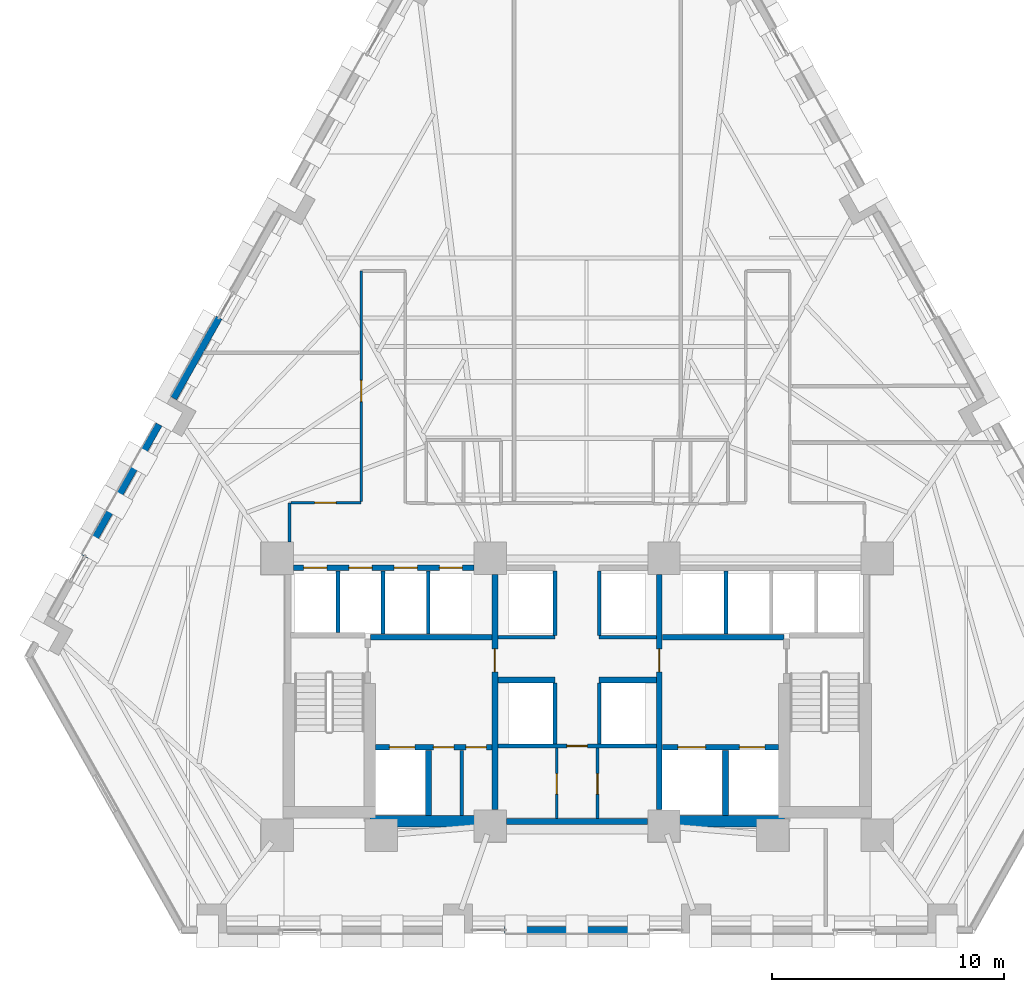
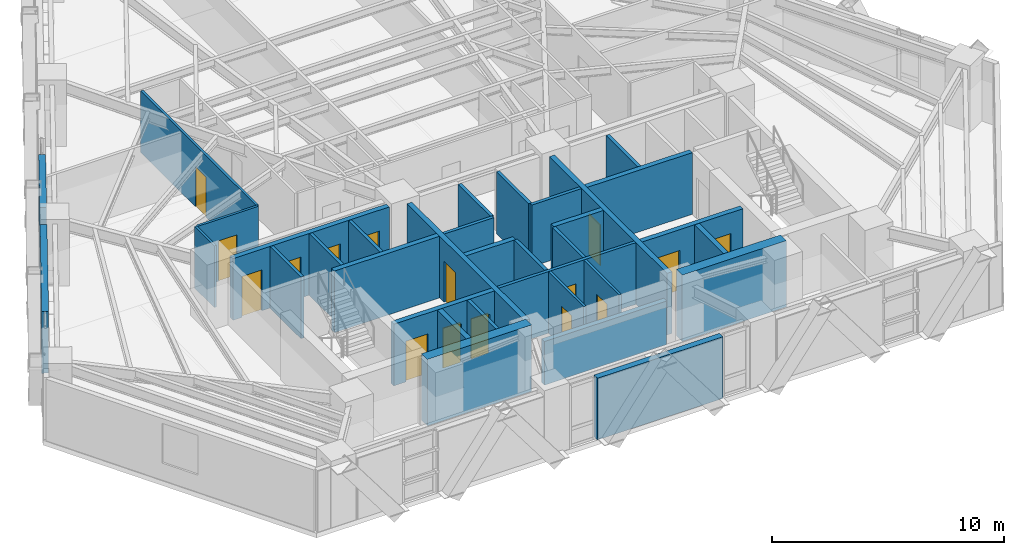
# One storey, part 7 of 13: 34 walls, 16 doors, 16 openings.
"""IFC4 building model written with IfcOpenShell, lengths in metres."""

from ifc_helpers import new_model, si_unit, direction, frame, frame_2d, origin, place, context, subcontext, project, spatial, rectangle, extrude, material, layer, layer_set, type_object, element, fill, save


model = new_model("IFC4")

# Units and contexts
model_context = context("Model", 3, precision=1e-05, world=origin(), true_north=direction((0.0, 1.0)))
body_context = subcontext(model_context, "Body", "Model", "MODEL_VIEW")
ifc_project = project(units=[si_unit("LENGTHUNIT", "METRE"), si_unit("AREAUNIT", "SQUARE_METRE"), si_unit("VOLUMEUNIT", "CUBIC_METRE"), si_unit("PLANEANGLEUNIT", "RADIAN"), si_unit("MASSUNIT", "GRAM", prefix="KILO")], contexts=[model_context])

# Site, building, storey
site_placement = place(None, origin())
site = spatial("IfcSite", under=ifc_project, at=site_placement, CompositionType="ELEMENT")
building_placement = place(site_placement, origin())
building = spatial("IfcBuilding", under=site, at=building_placement, Name="Quenlor Broadcast Tower", CompositionType="ELEMENT")
storey_placement = place(building_placement, frame((0.0, 0.0, 66.10009765625)))
storey = spatial("IfcBuildingStorey", under=building, at=storey_placement, Name="L17", CompositionType="ELEMENT", Elevation=66.10009765625)

# Walls
ifc_material_1 = material(Name="Concrete C65/80", Category="concrete")
ifc_layer_1 = layer(ifc_material_1, 0.5)
ifc_layer_set_1 = layer_set([ifc_layer_1], Name="Core Concrete C65/80 Shear Wall 500")
wall_type_1 = type_object("IfcWallType", Name="Core Concrete C65/80 Shear Wall 500", PredefinedType="SHEAR", material=ifc_layer_set_1)
for number, where, z_axis, x_axis, name in (
    (1, (-8.949951171875, -16.14990234375, 0.0), (0.0, 0.0, 1.0), (1.0, 0.0, 0.0), "L17 Core Shear Wall WS-W2"),
    (2, (3.75, -16.14990234375, 0.0), (0.0, 0.0, 1.0), (1.0, 0.0, 0.0), "L17 Core Shear Wall WS-E1"),
):
    element("IfcWall", number, at=place(storey_placement, frame(where, z_axis=z_axis, x_axis=x_axis)), inside=storey, type_object=wall_type_1, Name=name, PredefinedType="SHEAR", context=body_context, shape_type="SweptSolid", body=[
        extrude(rectangle(XDim=5.199951171875, YDim=0.5, at=frame_2d((2.60009765625, 0.0))), origin(), (0.0, 0.0, 1.0), 3.5),
    ])

# Wall, openings, doors
ifc_material_2 = material(Name="Concrete C40/50", Category="concrete")
ifc_layer_2 = layer(ifc_material_2, 0.25)
ifc_layer_set_2 = layer_set([ifc_layer_2], Name="Fire Rated Concrete C40/50 Core Wall 250")
wall_type_2 = type_object("IfcWallType", Name="Fire Rated Concrete C40/50 Core Wall 250", PredefinedType="PARTITIONING", material=ifc_layer_set_2)
wall_1_placement = place(storey_placement, frame((-8.697998046875, -12.949951171875, 0.0), z_axis=(0.0, 0.0, 1.0), x_axis=(1.0, 0.0, 0.0)))
wall_1 = element("IfcWall", 3, at=wall_1_placement, inside=storey, type_object=wall_type_2, Name="L17 Interior Wall CW-FFW-S", PredefinedType="PARTITIONING", context=body_context, shape_type="SweptSolid", body=[
    extrude(rectangle(XDim=5.01806640625, YDim=0.25, at=frame_2d((2.509033203125, 0.0))), origin(), (0.0, 0.0, 1.0), 3.25),
])
opening_1_placement = place(wall_1_placement, frame((0.597900390625, 0.0, 0.0)))
opening_1 = element("IfcOpeningElement", 4, at=opening_1_placement, cuts=wall_1, Name="Opening LD-FFL-1", PredefinedType="OPENING", context=body_context, shape_type="SweptSolid", body=[
    extrude(rectangle(XDim=1.10009765625, YDim=2.14990234375, at=frame_2d((0.550048828125, 1.074951171875))), frame((0.0, 0.135009765625, 0.0), z_axis=(0.0, -1.0, 0.0), x_axis=(1.0, 0.0, 0.0)), (0.0, 0.0, 1.0), 0.27001953125),
])
opening_2_placement = place(wall_1_placement, frame((2.498046875, 0.0, 0.0)))
opening_2 = element("IfcOpeningElement", 5, at=opening_2_placement, cuts=wall_1, Name="Opening TD-1", PredefinedType="OPENING", context=body_context, shape_type="SweptSolid", body=[
    extrude(rectangle(XDim=0.8798828125, YDim=2.10009765625, at=frame_2d((0.43994140625, 1.050048828125))), frame((0.0, 0.135009765625, 0.0), z_axis=(0.0, -1.0, 0.0), x_axis=(1.0, 0.0, 0.0)), (0.0, 0.0, 1.0), 0.27001953125),
])
opening_3_placement = place(wall_1_placement, frame((3.89794921875, 0.0, 0.0)))
opening_3 = element("IfcOpeningElement", 6, at=opening_3_placement, cuts=wall_1, Name="Opening TD-1", PredefinedType="OPENING", context=body_context, shape_type="SweptSolid", body=[
    extrude(rectangle(XDim=0.8798828125, YDim=2.10009765625, at=frame_2d((0.43994140625, 1.050048828125))), frame((0.0, 0.135009765625, 0.0), z_axis=(0.0, -1.0, 0.0), x_axis=(1.0, 0.0, 0.0)), (0.0, 0.0, 1.0), 0.27001953125),
])
ifc_material_3 = material(Name="Brushed Stainless Steel", Category="steel")
door_type_1 = type_object("IfcDoorType", Name="Emergency Lift Sliding Landing Door 1100x2150", OperationType="NOTDEFINED", PredefinedType="DOOR", material=ifc_material_3)
door_1_placement = place(opening_1_placement, origin())
door_1 = element("IfcDoor", 7, at=door_1_placement, inside=storey, type_object=door_type_1, Name="L17 Door LD-FFL-1", OperationType="SLIDING_TO_LEFT", OverallHeight=2.14990234375, OverallWidth=1.10009765625, PredefinedType="DOOR", context=body_context, shape_type="SweptSolid", body=[
    extrude(rectangle(XDim=1.10009765625, YDim=2.14990234375, at=frame_2d((0.550048828125, 1.074951171875))), frame((0.0, 0.02490234375, 0.0), z_axis=(0.0, -1.0, 0.0), x_axis=(1.0, 0.0, 0.0)), (0.0, 0.0, 1.0), 0.050048828125),
])
fill(opening_1, door_1)
ifc_material_4 = material(Name="Fire Rated Steel Access Panel", Category="steel")
door_type_2 = type_object("IfcDoorType", Name="Riser Shaft Rated Access Trapdoor 880x2100", OperationType="NOTDEFINED", PredefinedType="TRAPDOOR", material=ifc_material_4)
door_2_placement = place(opening_2_placement, origin())
door_2 = element("IfcDoor", 8, at=door_2_placement, inside=storey, type_object=door_type_2, Name="L17 Door DR-ELR", OperationType="SINGLE_SWING_LEFT", OverallHeight=2.10009765625, OverallWidth=0.8798828125, PredefinedType="TRAPDOOR", context=body_context, shape_type="SweptSolid", body=[
    extrude(rectangle(XDim=0.8798828125, YDim=2.10009765625, at=frame_2d((0.43994140625, 1.050048828125))), frame((0.0, 0.02490234375, 0.0), z_axis=(0.0, -1.0, 0.0), x_axis=(1.0, 0.0, 0.0)), (0.0, 0.0, 1.0), 0.050048828125),
])
fill(opening_2, door_2)
door_3_placement = place(opening_3_placement, origin())
door_3 = element("IfcDoor", 9, at=door_3_placement, inside=storey, type_object=door_type_2, Name="L17 Door DR-CMR", OperationType="SINGLE_SWING_RIGHT", OverallHeight=2.10009765625, OverallWidth=0.8798828125, PredefinedType="TRAPDOOR", context=body_context, shape_type="SweptSolid", body=[
    extrude(rectangle(XDim=0.8798828125, YDim=2.10009765625, at=frame_2d((0.43994140625, 1.050048828125))), frame((0.0, 0.02490234375, 0.0), z_axis=(0.0, -1.0, 0.0), x_axis=(1.0, 0.0, 0.0)), (0.0, 0.0, 1.0), 0.050048828125),
])
fill(opening_3, door_3)

wall_2_placement = place(storey_placement, frame((3.679931640625, -12.949951171875, 0.0), z_axis=(0.0, 0.0, 1.0), x_axis=(1.0, 0.0, 0.0)))
wall_2 = element("IfcWall", 10, at=wall_2_placement, inside=storey, type_object=wall_type_2, Name="L17 Interior Wall CW-FFE-S", PredefinedType="PARTITIONING", context=body_context, shape_type="SweptSolid", body=[
    extrude(rectangle(XDim=5.01806640625, YDim=0.25, at=frame_2d((2.509033203125, 0.0))), origin(), (0.0, 0.0, 1.0), 3.25),
])
opening_4_placement = place(wall_2_placement, frame((3.320068359375, 0.0, 0.0)))
opening_4 = element("IfcOpeningElement", 11, at=opening_4_placement, cuts=wall_2, Name="Opening LD-FFL-2", PredefinedType="OPENING", context=body_context, shape_type="SweptSolid", body=[
    extrude(rectangle(XDim=1.10009765625, YDim=2.14990234375, at=frame_2d((0.550048828125, 1.074951171875))), frame((0.0, 0.135009765625, 0.0), z_axis=(0.0, -1.0, 0.0), x_axis=(1.0, 0.0, 0.0)), (0.0, 0.0, 1.0), 0.27001953125),
])
opening_5_placement = place(wall_2_placement, frame((0.669921875, 0.0, 0.0)))
opening_5 = element("IfcOpeningElement", 12, at=opening_5_placement, cuts=wall_2, Name="Opening LD-SVL-1", PredefinedType="OPENING", context=body_context, shape_type="SweptSolid", body=[
    extrude(rectangle(XDim=1.199951171875, YDim=2.14990234375, at=frame_2d((0.60009765625, 1.074951171875))), frame((0.0, 0.135009765625, 0.0), z_axis=(0.0, -1.0, 0.0), x_axis=(1.0, 0.0, 0.0)), (0.0, 0.0, 1.0), 0.27001953125),
])
door_4_placement = place(opening_4_placement, origin())
door_4 = element("IfcDoor", 13, at=door_4_placement, inside=storey, type_object=door_type_1, Name="L17 Door LD-FFL-2", OperationType="SLIDING_TO_RIGHT", OverallHeight=2.14990234375, OverallWidth=1.10009765625, PredefinedType="DOOR", context=body_context, shape_type="SweptSolid", body=[
    extrude(rectangle(XDim=1.10009765625, YDim=2.14990234375, at=frame_2d((0.550048828125, 1.074951171875))), frame((0.0, 0.02490234375, 0.0), z_axis=(0.0, -1.0, 0.0), x_axis=(1.0, 0.0, 0.0)), (0.0, 0.0, 1.0), 0.050048828125),
])
fill(opening_4, door_4)
ifc_material_5 = material(Name="Brushed Stainless Steel", Category="steel")
door_type_3 = type_object("IfcDoorType", Name="Goods Lift Sliding Landing Door 1200x2150", OperationType="NOTDEFINED", PredefinedType="DOOR", material=ifc_material_5)
door_5_placement = place(opening_5_placement, origin())
door_5 = element("IfcDoor", 14, at=door_5_placement, inside=storey, type_object=door_type_3, Name="L17 Door LD-SVL-1", OperationType="SLIDING_TO_LEFT", OverallHeight=2.14990234375, OverallWidth=1.199951171875, PredefinedType="DOOR", context=body_context, shape_type="SweptSolid", body=[
    extrude(rectangle(XDim=1.199951171875, YDim=2.14990234375, at=frame_2d((0.60009765625, 1.074951171875))), frame((0.0, 0.02490234375, 0.0), z_axis=(0.0, -1.0, 0.0), x_axis=(1.0, 0.0, 0.0)), (0.0, 0.0, 1.0), 0.050048828125),
])
fill(opening_5, door_5)

# Walls
for number, where, z_axis, x_axis, name in (
    (15, (-6.419921875, -15.89794921875, 0.0), (0.0, 0.0, 1.0), (0.0, 1.0, 0.0), "L17 Interior Wall CW-FF1-E"),
    (16, (6.39990234375, -15.89794921875, 0.0), (0.0, 0.0, 1.0), (0.0, 1.0, 0.0), "L17 Interior Wall CW-SV1-E"),
):
    element("IfcWall", number, at=place(storey_placement, frame(where, z_axis=z_axis, x_axis=x_axis)), inside=storey, type_object=wall_type_2, Name=name, PredefinedType="PARTITIONING", context=body_context, shape_type="SweptSolid", body=[
        extrude(rectangle(XDim=2.807861328125, YDim=0.25, at=frame_2d((1.40380859375, 0.0))), origin(), (0.0, 0.0, 1.0), 3.25),
    ])
for number, where, z_axis, x_axis, name in (
    (17, (-8.919921875, -8.199951171875, 0.0), (0.0, 0.0, 1.0), (1.0, 0.0, 0.0), "L17 Interior Wall CW-FFW-N"),
    (18, (3.679931640625, -8.199951171875, 0.0), (0.0, 0.0, 1.0), (1.0, 0.0, 0.0), "L17 Interior Wall CW-FFE-N"),
):
    element("IfcWall", number, at=place(storey_placement, frame(where, z_axis=z_axis, x_axis=x_axis)), inside=storey, type_object=wall_type_2, Name=name, PredefinedType="PARTITIONING", context=body_context, shape_type="SweptSolid", body=[
        extrude(rectangle(XDim=5.239990234375, YDim=0.25, at=frame_2d((2.6201171875, 0.0))), origin(), (0.0, 0.0, 1.0), 3.25),
    ])

# Wall, opening, door
wall_3_placement = place(storey_placement, frame((-3.550048828125, -15.64794921875, 0.0), z_axis=(0.0, 0.0, 1.0), x_axis=(0.0, 1.0, 0.0)))
wall_3 = element("IfcWall", 19, at=wall_3_placement, inside=storey, type_object=wall_type_2, Name="L17 Interior Wall CW-FFW-E", PredefinedType="PARTITIONING", context=body_context, shape_type="SweptSolid", body=[
    extrude(rectangle(XDim=10.14599609375, YDim=0.25, at=frame_2d((5.072998046875, 0.0))), origin(), (0.0, 0.0, 1.0), 3.25),
])
opening_6_placement = place(wall_3_placement, frame((5.947998046875, 0.0, 0.0)))
opening_6 = element("IfcOpeningElement", 20, at=opening_6_placement, cuts=wall_3, Name="Opening FD-2", PredefinedType="OPENING", context=body_context, shape_type="SweptSolid", body=[
    extrude(rectangle(XDim=1.0, YDim=2.14990234375, at=frame_2d((0.5, 1.074951171875))), frame((0.0, 0.135009765625, 0.0), z_axis=(0.0, -1.0, 0.0), x_axis=(1.0, 0.0, 0.0)), (0.0, 0.0, 1.0), 0.27001953125),
])
ifc_material_6 = material(Name="Fire Rated Glazed Steel Door", Category="steel")
door_type_4 = type_object("IfcDoorType", Name="Firefighting Lobby Smoke Door 1000x2150", OperationType="NOTDEFINED", PredefinedType="DOOR", material=ifc_material_6)
door_6_placement = place(opening_6_placement, origin())
door_6 = element("IfcDoor", 21, at=door_6_placement, inside=storey, type_object=door_type_4, Name="L17 Door DR-FFLW", OperationType="SINGLE_SWING_RIGHT", OverallHeight=2.14990234375, OverallWidth=1.0, PredefinedType="DOOR", context=body_context, shape_type="SweptSolid", body=[
    extrude(rectangle(XDim=1.0, YDim=2.14990234375, at=frame_2d((0.5, 1.074951171875))), frame((0.0, 0.02490234375, 0.0), z_axis=(0.0, -1.0, 0.0), x_axis=(1.0, 0.0, 0.0)), (0.0, 0.0, 1.0), 0.050048828125),
])
fill(opening_6, door_6)

wall_4_placement = place(storey_placement, frame((3.550048828125, -15.64794921875, 0.0), z_axis=(0.0, 0.0, 1.0), x_axis=(0.0, 1.0, 0.0)))
wall_4 = element("IfcWall", 22, at=wall_4_placement, inside=storey, type_object=wall_type_2, Name="L17 Interior Wall CW-FFE-W", PredefinedType="PARTITIONING", context=body_context, shape_type="SweptSolid", body=[
    extrude(rectangle(XDim=10.14599609375, YDim=0.25, at=frame_2d((5.072998046875, 0.0))), origin(), (0.0, 0.0, 1.0), 3.25),
])
opening_7_placement = place(wall_4_placement, frame((5.947998046875, 0.0, 0.0)))
opening_7 = element("IfcOpeningElement", 23, at=opening_7_placement, cuts=wall_4, Name="Opening FD-2", PredefinedType="OPENING", context=body_context, shape_type="SweptSolid", body=[
    extrude(rectangle(XDim=1.0, YDim=2.14990234375, at=frame_2d((0.5, 1.074951171875))), frame((0.0, 0.135009765625, 0.0), z_axis=(0.0, -1.0, 0.0), x_axis=(1.0, 0.0, 0.0)), (0.0, 0.0, 1.0), 0.27001953125),
])
door_7_placement = place(opening_7_placement, origin())
door_7 = element("IfcDoor", 24, at=door_7_placement, inside=storey, type_object=door_type_4, Name="L17 Door DR-FFLE", OperationType="SINGLE_SWING_LEFT", OverallHeight=2.14990234375, OverallWidth=1.0, PredefinedType="DOOR", context=body_context, shape_type="SweptSolid", body=[
    extrude(rectangle(XDim=1.0, YDim=2.14990234375, at=frame_2d((0.5, 1.074951171875))), frame((0.0, 0.02490234375, 0.0), z_axis=(0.0, -1.0, 0.0), x_axis=(1.0, 0.0, 0.0)), (0.0, 0.0, 1.0), 0.050048828125),
])
fill(opening_7, door_7)

# Wall, openings, doors
wall_5_placement = place(storey_placement, frame((-12.248046875, -5.199951171875, 0.0), z_axis=(0.0, 0.0, 1.0), x_axis=(1.0, 0.0, 0.0)))
wall_5 = element("IfcWall", 25, at=wall_5_placement, inside=storey, type_object=wall_type_2, Name="L17 Interior Wall CW-N-W", PredefinedType="PARTITIONING", context=body_context, shape_type="SweptSolid", body=[
    extrude(rectangle(XDim=7.796142578125, YDim=0.25, at=frame_2d((3.89794921875, 0.0))), origin(), (0.0, 0.0, 1.0), 3.25),
])
opening_8_placement = place(wall_5_placement, frame((0.447998046875, 0.0, 0.0)))
opening_8 = element("IfcOpeningElement", 26, at=opening_8_placement, cuts=wall_5, Name="Opening LD-PL-L1", PredefinedType="OPENING", context=body_context, shape_type="SweptSolid", body=[
    extrude(rectangle(XDim=1.0, YDim=2.14990234375, at=frame_2d((0.5, 1.074951171875))), frame((0.0, 0.135009765625, 0.0), z_axis=(0.0, -1.0, 0.0), x_axis=(1.0, 0.0, 0.0)), (0.0, 0.0, 1.0), 0.27001953125),
])
opening_9_placement = place(wall_5_placement, frame((2.39794921875, 0.0, 0.0)))
opening_9 = element("IfcOpeningElement", 27, at=opening_9_placement, cuts=wall_5, Name="Opening LD-PL-L2", PredefinedType="OPENING", context=body_context, shape_type="SweptSolid", body=[
    extrude(rectangle(XDim=1.0, YDim=2.14990234375, at=frame_2d((0.5, 1.074951171875))), frame((0.0, 0.135009765625, 0.0), z_axis=(0.0, -1.0, 0.0), x_axis=(1.0, 0.0, 0.0)), (0.0, 0.0, 1.0), 0.27001953125),
])
opening_10_placement = place(wall_5_placement, frame((4.347900390625, 0.0, 0.0)))
opening_10 = element("IfcOpeningElement", 28, at=opening_10_placement, cuts=wall_5, Name="Opening LD-PL-L3", PredefinedType="OPENING", context=body_context, shape_type="SweptSolid", body=[
    extrude(rectangle(XDim=1.0, YDim=2.14990234375, at=frame_2d((0.5, 1.074951171875))), frame((0.0, 0.135009765625, 0.0), z_axis=(0.0, -1.0, 0.0), x_axis=(1.0, 0.0, 0.0)), (0.0, 0.0, 1.0), 0.27001953125),
])
opening_11_placement = place(wall_5_placement, frame((6.298095703125, 0.0, 0.0)))
opening_11 = element("IfcOpeningElement", 29, at=opening_11_placement, cuts=wall_5, Name="Opening LD-PL-L4", PredefinedType="OPENING", context=body_context, shape_type="SweptSolid", body=[
    extrude(rectangle(XDim=1.0, YDim=2.14990234375, at=frame_2d((0.5, 1.074951171875))), frame((0.0, 0.135009765625, 0.0), z_axis=(0.0, -1.0, 0.0), x_axis=(1.0, 0.0, 0.0)), (0.0, 0.0, 1.0), 0.27001953125),
])
ifc_material_7 = material(Name="Brushed Stainless Steel", Category="steel")
door_type_5 = type_object("IfcDoorType", Name="Passenger Lift Sliding Landing Door 1000x2150", OperationType="NOTDEFINED", PredefinedType="DOOR", material=ifc_material_7)
door_8_placement = place(opening_8_placement, origin())
door_8 = element("IfcDoor", 30, at=door_8_placement, inside=storey, type_object=door_type_5, Name="L17 Door LD-PL-L1", OperationType="SLIDING_TO_LEFT", OverallHeight=2.14990234375, OverallWidth=1.0, PredefinedType="DOOR", context=body_context, shape_type="SweptSolid", body=[
    extrude(rectangle(XDim=1.0, YDim=2.14990234375, at=frame_2d((0.5, 1.074951171875))), frame((0.0, 0.02490234375, 0.0), z_axis=(0.0, -1.0, 0.0), x_axis=(1.0, 0.0, 0.0)), (0.0, 0.0, 1.0), 0.050048828125),
])
fill(opening_8, door_8)
door_9_placement = place(opening_9_placement, origin())
door_9 = element("IfcDoor", 31, at=door_9_placement, inside=storey, type_object=door_type_5, Name="L17 Door LD-PL-L2", OperationType="SLIDING_TO_LEFT", OverallHeight=2.14990234375, OverallWidth=1.0, PredefinedType="DOOR", context=body_context, shape_type="SweptSolid", body=[
    extrude(rectangle(XDim=1.0, YDim=2.14990234375, at=frame_2d((0.5, 1.074951171875))), frame((0.0, 0.02490234375, 0.0), z_axis=(0.0, -1.0, 0.0), x_axis=(1.0, 0.0, 0.0)), (0.0, 0.0, 1.0), 0.050048828125),
])
fill(opening_9, door_9)
door_10_placement = place(opening_10_placement, origin())
door_10 = element("IfcDoor", 32, at=door_10_placement, inside=storey, type_object=door_type_5, Name="L17 Door LD-PL-L3", OperationType="SLIDING_TO_LEFT", OverallHeight=2.14990234375, OverallWidth=1.0, PredefinedType="DOOR", context=body_context, shape_type="SweptSolid", body=[
    extrude(rectangle(XDim=1.0, YDim=2.14990234375, at=frame_2d((0.5, 1.074951171875))), frame((0.0, 0.02490234375, 0.0), z_axis=(0.0, -1.0, 0.0), x_axis=(1.0, 0.0, 0.0)), (0.0, 0.0, 1.0), 0.050048828125),
])
fill(opening_10, door_10)
door_11_placement = place(opening_11_placement, origin())
door_11 = element("IfcDoor", 33, at=door_11_placement, inside=storey, type_object=door_type_5, Name="L17 Door LD-PL-L4", OperationType="SLIDING_TO_LEFT", OverallHeight=2.14990234375, OverallWidth=1.0, PredefinedType="DOOR", context=body_context, shape_type="SweptSolid", body=[
    extrude(rectangle(XDim=1.0, YDim=2.14990234375, at=frame_2d((0.5, 1.074951171875))), frame((0.0, 0.02490234375, 0.0), z_axis=(0.0, -1.0, 0.0), x_axis=(1.0, 0.0, 0.0)), (0.0, 0.0, 1.0), 0.050048828125),
])
fill(opening_11, door_11)

# Walls
wall_6_placement = place(storey_placement, frame((-3.048095703125, -16.14990234375, 0.0), z_axis=(0.0, 0.0, 1.0), x_axis=(1.0, 0.0, 0.0)))
element("IfcWall", 34, at=wall_6_placement, inside=storey, type_object=wall_type_2, Name="L17 Interior Wall CW-MS-S", PredefinedType="PARTITIONING", context=body_context, shape_type="SweptSolid", body=[
    extrude(rectangle(XDim=6.09619140625, YDim=0.25, at=frame_2d((3.048095703125, 0.0))), origin(), (0.0, 0.0, 1.0), 2.2998046875),
])
for number, where, z_axis, x_axis, name in (
    (35, (-3.419921875, -10.050048828125, 0.0), (0.0, 0.0, 1.0), (1.0, 0.0, 0.0), "L17 Interior Wall CW-MS-N1"),
    (36, (0.949951171875, -10.050048828125, 0.0), (0.0, 0.0, 1.0), (1.0, 0.0, 0.0), "L17 Interior Wall CW-MS-N2"),
):
    element("IfcWall", number, at=place(storey_placement, frame(where, z_axis=z_axis, x_axis=x_axis)), inside=storey, type_object=wall_type_2, Name=name, PredefinedType="PARTITIONING", context=body_context, shape_type="SweptSolid", body=[
        extrude(rectangle(XDim=2.469970703125, YDim=0.25, at=frame_2d((1.23486328125, 0.0))), origin(), (0.0, 0.0, 1.0), 3.25),
    ])
ifc_material_8 = material(Name="Gypsum Fireboard Partition", Category="other")
ifc_layer_3 = layer(ifc_material_8, 0.159912109375)
ifc_layer_set_3 = layer_set([ifc_layer_3], Name="Fire Rated Shaft and Corridor Partition 160")
wall_type_3 = type_object("IfcWallType", Name="Fire Rated Shaft and Corridor Partition 160", PredefinedType="PARTITIONING", material=ifc_layer_set_3)
wall_7_placement = place(storey_placement, frame((-4.97998046875, -15.89794921875, 0.0), z_axis=(0.0, 0.0, 1.0), x_axis=(0.0, 1.0, 0.0)))
element("IfcWall", 37, at=wall_7_placement, inside=storey, type_object=wall_type_3, Name="L17 Interior Wall CW-ELR-E", PredefinedType="PARTITIONING", context=body_context, shape_type="SweptSolid", body=[
    extrude(rectangle(XDim=2.807861328125, YDim=0.159912109375, at=frame_2d((1.40380859375, 0.0))), origin(), (0.0, 0.0, 1.0), 3.25),
])
wall_8_placement = place(storey_placement, frame((-10.324951171875, -7.992919921875, 0.0), z_axis=(0.0, 0.0, 1.0), x_axis=(0.0, 1.0, 0.0)))
element("IfcWall", 38, at=wall_8_placement, inside=storey, type_object=wall_type_3, Name="L17 Interior Wall CW-PLL-D1", PredefinedType="PARTITIONING", context=body_context, shape_type="SweptSolid", body=[
    extrude(rectangle(XDim=2.65283203125, YDim=0.159912109375, at=frame_2d((1.326416015625, 0.0))), origin(), (0.0, 0.0, 1.0), 3.25),
])
for number, where, z_axis, x_axis, name in (
    (39, (-8.375, -8.072998046875, 0.0), (0.0, 0.0, 1.0), (0.0, 1.0, 0.0), "L17 Interior Wall CW-PLL-D2"),
    (40, (-6.425048828125, -8.072998046875, 0.0), (0.0, 0.0, 1.0), (0.0, 1.0, 0.0), "L17 Interior Wall CW-PLL-D3"),
    (41, (6.425048828125, -8.072998046875, 0.0), (0.0, 0.0, 1.0), (0.0, 1.0, 0.0), "L17 Interior Wall CW-PLH-D1"),
):
    element("IfcWall", number, at=place(storey_placement, frame(where, z_axis=z_axis, x_axis=x_axis)), inside=storey, type_object=wall_type_3, Name=name, PredefinedType="PARTITIONING", context=body_context, shape_type="SweptSolid", body=[
        extrude(rectangle(XDim=2.73291015625, YDim=0.159912109375, at=frame_2d((1.366455078125, 0.0))), origin(), (0.0, 0.0, 1.0), 3.25),
    ])
for number, where, z_axis, x_axis, name in (
    (42, (-0.949951171875, -8.1201171875, 0.0), (0.0, 0.0, 1.0), (0.0, 1.0, 0.0), "L17 Interior Wall CW-CCRP-W"),
    (43, (0.949951171875, -8.1201171875, 0.0), (0.0, 0.0, 1.0), (0.0, 1.0, 0.0), "L17 Interior Wall CW-CCRP-E"),
):
    element("IfcWall", number, at=place(storey_placement, frame(where, z_axis=z_axis, x_axis=x_axis)), inside=storey, type_object=wall_type_3, Name=name, PredefinedType="PARTITIONING", context=body_context, shape_type="SweptSolid", body=[
        extrude(rectangle(XDim=2.780029296875, YDim=0.159912109375, at=frame_2d((1.39013671875, 0.0))), origin(), (0.0, 0.0, 1.0), 3.25),
    ])
for number, where, z_axis, x_axis, name in (
    (44, (-3.419921875, -8.199951171875, 0.0), (0.0, 0.0, 1.0), (1.0, 0.0, 0.0), "L17 Interior Wall CW-M-BACK1"),
    (45, (0.949951171875, -8.199951171875, 0.0), (0.0, 0.0, 1.0), (1.0, 0.0, 0.0), "L17 Interior Wall CW-M-BACK2"),
):
    element("IfcWall", number, at=place(storey_placement, frame(where, z_axis=z_axis, x_axis=x_axis)), inside=storey, type_object=wall_type_3, Name=name, PredefinedType="PARTITIONING", context=body_context, shape_type="SweptSolid", body=[
        extrude(rectangle(XDim=2.469970703125, YDim=0.159912109375, at=frame_2d((1.23486328125, 0.0))), origin(), (0.0, 0.0, 1.0), 3.25),
    ])

# Wall, opening, door
wall_9_placement = place(storey_placement, frame((-3.419921875, -12.89990234375, 0.0), z_axis=(0.0, 0.0, 1.0), x_axis=(1.0, 0.0, 0.0)))
wall_9 = element("IfcWall", 46, at=wall_9_placement, inside=storey, type_object=wall_type_3, Name="L17 Interior Wall CW-MS-B", PredefinedType="PARTITIONING", context=body_context, shape_type="SweptSolid", body=[
    extrude(rectangle(XDim=6.83984375, YDim=0.159912109375, at=frame_2d((3.419921875, 0.0))), origin(), (0.0, 0.0, 1.0), 3.25),
])
opening_12_placement = place(wall_9_placement, frame((2.97998046875, 0.0, 0.0)))
opening_12 = element("IfcOpeningElement", 47, at=opening_12_placement, cuts=wall_9, Name="Opening ID-4", PredefinedType="OPENING", context=body_context, shape_type="SweptSolid", body=[
    extrude(rectangle(XDim=0.8798828125, YDim=2.1201171875, at=frame_2d((0.43994140625, 1.06005859375))), frame((0.0, 0.08984375, 0.0), z_axis=(0.0, -1.0, 0.0), x_axis=(1.0, 0.0, 0.0)), (0.0, 0.0, 1.0), 0.179931640625),
])
ifc_material_9 = material(Name="Solid Core Timber Oak", Category="wood")
door_type_6 = type_object("IfcDoorType", Name="Service Closet Timber Door 880x2120", OperationType="NOTDEFINED", PredefinedType="DOOR", material=ifc_material_9)
door_12_placement = place(opening_12_placement, origin())
door_12 = element("IfcDoor", 48, at=door_12_placement, inside=storey, type_object=door_type_6, Name="L17 Door DR-CSV0", OperationType="SINGLE_SWING_LEFT", OverallHeight=2.1201171875, OverallWidth=0.8798828125, PredefinedType="DOOR", context=body_context, shape_type="SweptSolid", body=[
    extrude(rectangle(XDim=0.8798828125, YDim=2.1201171875, at=frame_2d((0.43994140625, 1.06005859375))), frame((0.0, 0.02490234375, 0.0), z_axis=(0.0, -1.0, 0.0), x_axis=(1.0, 0.0, 0.0)), (0.0, 0.0, 1.0), 0.050048828125),
])
fill(opening_12, door_12)

# Walls
for number, where, z_axis, x_axis, name in (
    (49, (-0.949951171875, -12.818115234375, 0.0), (0.0, 0.0, 1.0), (0.0, 1.0, 0.0), "L17 Interior Wall CW-MS-W"),
    (50, (0.949951171875, -12.818115234375, 0.0), (0.0, 0.0, 1.0), (0.0, 1.0, 0.0), "L17 Interior Wall CW-MS-E"),
):
    element("IfcWall", number, at=place(storey_placement, frame(where, z_axis=z_axis, x_axis=x_axis)), inside=storey, type_object=wall_type_3, Name=name, PredefinedType="PARTITIONING", context=body_context, shape_type="SweptSolid", body=[
        extrude(rectangle(XDim=2.63818359375, YDim=0.159912109375, at=frame_2d((1.319091796875, 0.0))), origin(), (0.0, 0.0, 1.0), 3.25),
    ])

# Wall, opening, door
ifc_material_10 = material(Name="Gypsum Plasterboard Partition", Category="other")
ifc_layer_4 = layer(ifc_material_10, 0.1201171875)
ifc_layer_set_4 = layer_set([ifc_layer_4], Name="Standard Office Partition 120")
wall_type_4 = type_object("IfcWallType", Name="Standard Office Partition 120", PredefinedType="PARTITIONING", material=ifc_layer_set_4)
wall_10_placement = place(storey_placement, frame((-0.8798828125, -16.02001953125, 0.0), z_axis=(0.0, 0.0, 1.0), x_axis=(0.0, 1.0, 0.0)))
wall_10 = element("IfcWall", 51, at=wall_10_placement, inside=storey, type_object=wall_type_4, Name="L17 Interior Wall CW-CSV-W3", PredefinedType="PARTITIONING", context=body_context, shape_type="SweptSolid", body=[
    extrude(rectangle(XDim=3.0380859375, YDim=0.1201171875, at=frame_2d((1.51904296875, 0.0))), origin(), (0.0, 0.0, 1.0), 3.25),
])
opening_13_placement = place(wall_10_placement, frame((1.050048828125, 0.0, 0.0)))
opening_13 = element("IfcOpeningElement", 52, at=opening_13_placement, cuts=wall_10, Name="Opening ID-4", PredefinedType="OPENING", context=body_context, shape_type="SweptSolid", body=[
    extrude(rectangle(XDim=0.8798828125, YDim=2.1201171875, at=frame_2d((0.43994140625, 1.06005859375))), frame((0.0, 0.070068359375, 0.0), z_axis=(0.0, -1.0, 0.0), x_axis=(1.0, 0.0, 0.0)), (0.0, 0.0, 1.0), 0.14013671875),
])
door_13_placement = place(opening_13_placement, origin())
door_13 = element("IfcDoor", 53, at=door_13_placement, inside=storey, type_object=door_type_6, Name="L17 Door DR-CSV1", OperationType="SINGLE_SWING_LEFT", OverallHeight=2.1201171875, OverallWidth=0.8798828125, PredefinedType="DOOR", context=body_context, shape_type="SweptSolid", body=[
    extrude(rectangle(XDim=0.8798828125, YDim=2.1201171875, at=frame_2d((0.43994140625, 1.06005859375))), frame((0.0, 0.02490234375, 0.0), z_axis=(0.0, -1.0, 0.0), x_axis=(1.0, 0.0, 0.0)), (0.0, 0.0, 1.0), 0.050048828125),
])
fill(opening_13, door_13)

wall_11_placement = place(storey_placement, frame((0.8798828125, -16.02001953125, 0.0), z_axis=(0.0, 0.0, 1.0), x_axis=(0.0, 1.0, 0.0)))
wall_11 = element("IfcWall", 54, at=wall_11_placement, inside=storey, type_object=wall_type_4, Name="L17 Interior Wall CW-CSV-E3", PredefinedType="PARTITIONING", context=body_context, shape_type="SweptSolid", body=[
    extrude(rectangle(XDim=3.0380859375, YDim=0.1201171875, at=frame_2d((1.51904296875, 0.0))), origin(), (0.0, 0.0, 1.0), 3.25),
])
opening_14_placement = place(wall_11_placement, frame((1.050048828125, 0.0, 0.0)))
opening_14 = element("IfcOpeningElement", 55, at=opening_14_placement, cuts=wall_11, Name="Opening ID-4", PredefinedType="OPENING", context=body_context, shape_type="SweptSolid", body=[
    extrude(rectangle(XDim=0.8798828125, YDim=2.1201171875, at=frame_2d((0.43994140625, 1.06005859375))), frame((0.0, 0.070068359375, 0.0), z_axis=(0.0, -1.0, 0.0), x_axis=(1.0, 0.0, 0.0)), (0.0, 0.0, 1.0), 0.14013671875),
])
door_14_placement = place(opening_14_placement, origin())
door_14 = element("IfcDoor", 56, at=door_14_placement, inside=storey, type_object=door_type_6, Name="L17 Door DR-CSV2", OperationType="SINGLE_SWING_RIGHT", OverallHeight=2.1201171875, OverallWidth=0.8798828125, PredefinedType="DOOR", context=body_context, shape_type="SweptSolid", body=[
    extrude(rectangle(XDim=0.8798828125, YDim=2.1201171875, at=frame_2d((0.43994140625, 1.06005859375))), frame((0.0, 0.02490234375, 0.0), z_axis=(0.0, -1.0, 0.0), x_axis=(1.0, 0.0, 0.0)), (0.0, 0.0, 1.0), 0.050048828125),
])
fill(opening_14, door_14)

# Wall
wall_12_placement = place(storey_placement, frame((-12.409912109375, -4.097900390625, 0.0), z_axis=(0.0, 0.0, 1.0), x_axis=(0.0, 1.0, 0.0)))
element("IfcWall", 57, at=wall_12_placement, inside=storey, type_object=wall_type_4, Name="L17 Interior Wall PW-CR-01", PredefinedType="PARTITIONING", context=body_context, shape_type="SweptSolid", body=[
    extrude(rectangle(XDim=1.697998046875, YDim=0.1201171875, at=frame_2d((0.84912109375, 0.0))), origin(), (0.0, 0.0, 1.0), 3.25),
])

# Wall, opening, door
wall_13_placement = place(storey_placement, frame((-12.347900390625, -2.39990234375, 0.0), z_axis=(0.0, 0.0, 1.0), x_axis=(1.0, 0.0, 0.0)))
wall_13 = element("IfcWall", 58, at=wall_13_placement, inside=storey, type_object=wall_type_4, Name="L17 Interior Wall PW-CR-02", PredefinedType="PARTITIONING", context=body_context, shape_type="SweptSolid", body=[
    extrude(rectangle(XDim=3.02783203125, YDim=0.1201171875, at=frame_2d((1.513916015625, 0.0))), origin(), (0.0, 0.0, 1.0), 3.25),
])
opening_15_placement = place(wall_13_placement, frame((1.02294921875, 0.0, 0.0)))
opening_15 = element("IfcOpeningElement", 59, at=opening_15_placement, cuts=wall_13, Name="Opening ID-1", PredefinedType="OPENING", context=body_context, shape_type="SweptSolid", body=[
    extrude(rectangle(XDim=0.919921875, YDim=2.1201171875, at=frame_2d((0.4599609375, 1.06005859375))), frame((0.0, 0.070068359375, 0.0), z_axis=(0.0, -1.0, 0.0), x_axis=(1.0, 0.0, 0.0)), (0.0, 0.0, 1.0), 0.14013671875),
])
ifc_material_11 = material(Name="Solid Core Timber Oak", Category="wood")
door_type_7 = type_object("IfcDoorType", Name="Single Leaf Timber Office Door 920x2120", OperationType="NOTDEFINED", PredefinedType="DOOR", material=ifc_material_11)
door_15_placement = place(opening_15_placement, origin())
door_15 = element("IfcDoor", 60, at=door_15_placement, inside=storey, type_object=door_type_7, Name="L17 Door DR-RM07", OperationType="SINGLE_SWING_RIGHT", OverallHeight=2.1201171875, OverallWidth=0.919921875, PredefinedType="DOOR", context=body_context, shape_type="SweptSolid", body=[
    extrude(rectangle(XDim=0.919921875, YDim=2.1201171875, at=frame_2d((0.4599609375, 1.06005859375))), frame((0.0, 0.02490234375, 0.0), z_axis=(0.0, -1.0, 0.0), x_axis=(1.0, 0.0, 0.0)), (0.0, 0.0, 1.0), 0.050048828125),
])
fill(opening_15, door_15)

wall_14_placement = place(storey_placement, frame((-9.320068359375, -2.337890625, 0.0), z_axis=(0.0, 0.0, 1.0), x_axis=(0.0, 1.0, 0.0)))
wall_14 = element("IfcWall", 61, at=wall_14_placement, inside=storey, type_object=wall_type_4, Name="L17 Interior Wall PW-CR-03", PredefinedType="PARTITIONING", context=body_context, shape_type="SweptSolid", body=[
    extrude(rectangle(XDim=9.947998046875, YDim=0.1201171875, at=frame_2d((4.97412109375, 0.0))), origin(), (0.0, 0.0, 1.0), 3.25),
])
opening_16_placement = place(wall_14_placement, frame((4.302978515625, 0.0, 0.0)))
opening_16 = element("IfcOpeningElement", 62, at=opening_16_placement, cuts=wall_14, Name="Opening ID-1", PredefinedType="OPENING", context=body_context, shape_type="SweptSolid", body=[
    extrude(rectangle(XDim=0.919921875, YDim=2.1201171875, at=frame_2d((0.4599609375, 1.06005859375))), frame((0.0, 0.070068359375, 0.0), z_axis=(0.0, -1.0, 0.0), x_axis=(1.0, 0.0, 0.0)), (0.0, 0.0, 1.0), 0.14013671875),
])
door_16_placement = place(opening_16_placement, origin())
door_16 = element("IfcDoor", 63, at=door_16_placement, inside=storey, type_object=door_type_7, Name="L17 Door DR-RM04", OperationType="SINGLE_SWING_LEFT", OverallHeight=2.1201171875, OverallWidth=0.919921875, PredefinedType="DOOR", context=body_context, shape_type="SweptSolid", body=[
    extrude(rectangle(XDim=0.919921875, YDim=2.1201171875, at=frame_2d((0.4599609375, 1.06005859375))), frame((0.0, 0.02490234375, 0.0), z_axis=(0.0, -1.0, 0.0), x_axis=(1.0, 0.0, 0.0)), (0.0, 0.0, 1.0), 0.050048828125),
])
fill(opening_16, door_16)

# Walls
ifc_material_12 = material(Name="Precast concrete C40/50", Category="concrete")
ifc_layer_5 = layer(ifc_material_12, 0.300048828125)
ifc_layer_set_5 = layer_set([ifc_layer_5], Name="Terracotta Precast Concrete C40/50 Spandrel Wall 300")
wall_type_5 = type_object("IfcWallType", Name="Terracotta Precast Concrete C40/50 Spandrel Wall 300", PredefinedType="STANDARD", material=ifc_layer_set_5)
wall_15_placement = place(storey_placement, frame((3.126220703125, -20.840087890625, 0.0), z_axis=(0.0, 0.0, 1.0), x_axis=(-1.0, 0.0, 0.0)))
element("IfcWall", 64, at=wall_15_placement, inside=storey, type_object=wall_type_5, Name="L17 Exterior Wall L17-S-SP1", PredefinedType="STANDARD", context=body_context, shape_type="SweptSolid", body=[
    extrude(rectangle(XDim=6.25244140625, YDim=0.300048828125, at=frame_2d((3.126220703125, 0.0))), origin(), (0.0, 0.0, 1.0), 3.25),
])
wall_16_placement = place(storey_placement, frame((-21.258056640625, -4.718505859375, 0.0), z_axis=(0.0, 0.0, 1.0), x_axis=(0.490254155105, 0.871579522133, 0.0)))
element("IfcWall", 65, at=wall_16_placement, inside=storey, type_object=wall_type_5, Name="L17 Exterior Wall L17-NWA-SP2", PredefinedType="STANDARD", context=body_context, shape_type="SweptSolid", body=[
    extrude(rectangle(XDim=6.544677734375, YDim=0.300048828125, at=frame_2d((3.2724609375, 0.0))), origin(), (0.0, 0.0, 1.0), 3.25),
])
wall_17_placement = place(storey_placement, frame((-17.414794921875, 2.1142578125, 0.0), z_axis=(0.0, 0.0, 1.0), x_axis=(0.490275749717, 0.871567375043, 0.0)))
element("IfcWall", 66, at=wall_17_placement, inside=storey, type_object=wall_type_5, Name="L17 Exterior Wall L17-NW-SP1", PredefinedType="STANDARD", context=body_context, shape_type="SweptSolid", body=[
    extrude(rectangle(XDim=3.994140625, YDim=0.300048828125, at=frame_2d((1.9970703125, 0.0))), origin(), (0.0, 0.0, 1.0), 3.25),
])

save(model, "model.ifc")
